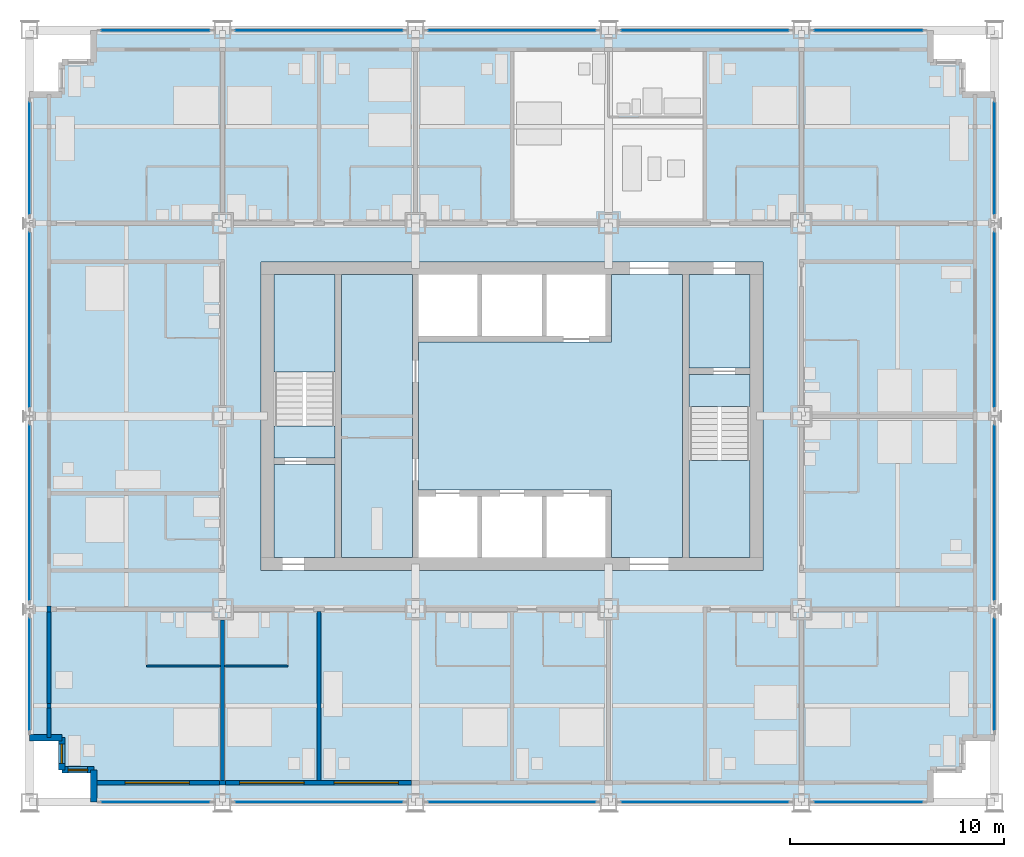
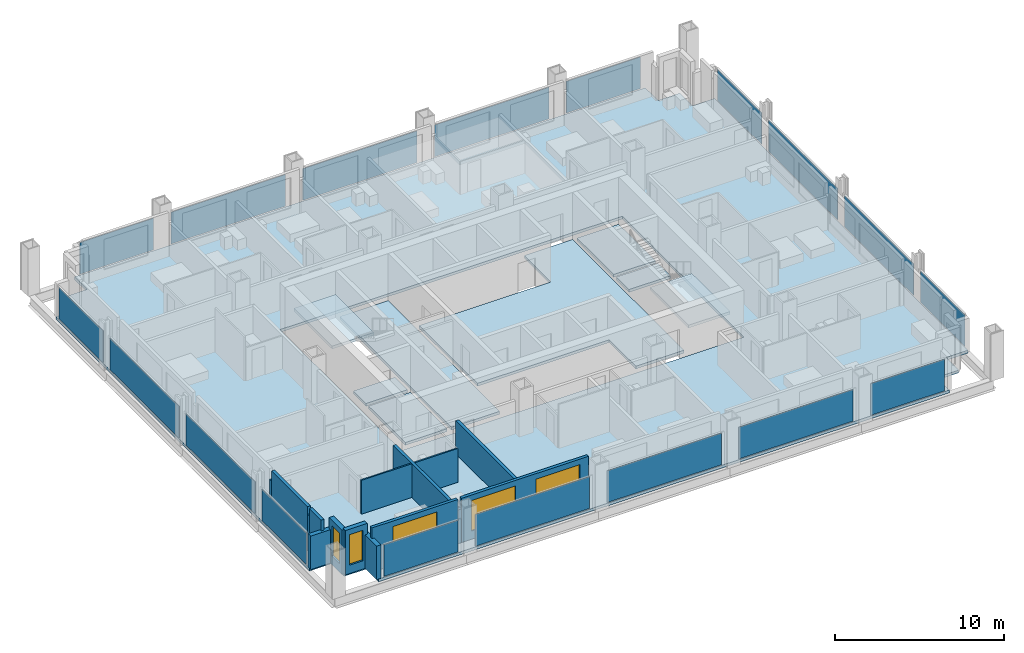
# One storey, part 8 of 16: 18 plates, 15 walls, 9 slabs, 5 windows, 5 openings, 20 elements without a shape of their own.
"""IFC4 building model written with IfcOpenShell, lengths in metres."""

from ifc_helpers import new_model, si_unit, direction, frame, frame_2d, origin, origin_2d, place, context, subcontext, project, spatial, polyline, rectangle, outline, extrude, material, layer, layer_set, type_object, element, fill, aggregate, save


model = new_model("IFC4")

# Units and contexts
model_context = context("Model", 3, precision=1e-05, world=origin(), true_north=direction((0.0, 1.0)))
body_context = subcontext(model_context, "Body", "Model", "MODEL_VIEW")
ifc_project = project(units=[si_unit("LENGTHUNIT", "METRE"), si_unit("AREAUNIT", "SQUARE_METRE"), si_unit("VOLUMEUNIT", "CUBIC_METRE"), si_unit("PLANEANGLEUNIT", "RADIAN"), si_unit("MASSUNIT", "GRAM", prefix="KILO")], contexts=[model_context])

# Site, building, storey
site_placement = place(None, origin())
site = spatial("IfcSite", under=ifc_project, at=site_placement, CompositionType="ELEMENT")
building_placement = place(site_placement, origin())
building = spatial("IfcBuilding", under=site, at=building_placement, Name="Loomwork Tower", CompositionType="ELEMENT")
storey_placement = place(building_placement, frame((0.0, 0.0, 97.60009765625)))
storey = spatial("IfcBuildingStorey", under=building, at=storey_placement, Name="L25", CompositionType="ELEMENT", Elevation=97.60009765625)

# Slabs
ifc_material_1 = material(Name="Concrete 5000 psi (34 MPa) on composite metal deck", Category="concrete")
ifc_layer_1 = layer(ifc_material_1, 0.199951171875)
ifc_layer_set_1 = layer_set([ifc_layer_1], Name="Floor slab 200")
slab_type_1 = type_object("IfcSlabType", Name="Floor slab 200", PredefinedType="FLOOR", material=ifc_layer_set_1)
slab_1_placement = place(storey_placement, frame((0.0, 0.0, -0.2001953125)))
element("IfcSlab", 1, at=slab_1_placement, inside=storey, type_object=slab_type_1, Name="Floor slab L25", PredefinedType="FLOOR", context=body_context, shape_type="SweptSolid", body=[
    extrude(outline(polyline([(3.0, 1.5), (1.5, 1.5), (1.5, 3.0), (0.0, 3.0), (0.0, 33.0), (1.5, 33.0), (1.5, 34.5), (3.0, 34.5), (3.0, 36.0), (42.0, 36.0), (42.0, 34.5), (43.5, 34.5), (43.5, 33.0), (45.0, 33.0), (45.0, 3.0), (43.5, 3.0), (43.5, 1.5), (42.0, 1.5), (42.0, 0.0), (3.0, 0.0), (3.0, 1.5)]), holes=[polyline([(10.800048828125, 11.39990234375), (10.800048828125, 11.39990234375), (10.800048828125, 10.800048828125), (34.199951171875, 10.800048828125), (34.199951171875, 11.39990234375), (34.199951171875, 11.39990234375), (34.199951171875, 24.60009765625), (34.199951171875, 25.199951171875), (10.800048828125, 25.199951171875), (10.800048828125, 24.60009765625), (10.800048828125, 11.39990234375)])]), origin(), (0.0, 0.0, 1.0), 0.2001953125),
])
slab_2_placement = place(storey_placement, frame((0.0, 0.0, -0.2001953125)))
element("IfcSlab", 2, at=slab_2_placement, inside=storey, type_object=slab_type_1, Name="Floor slab L25", PredefinedType="FLOOR", context=body_context, shape_type="SweptSolid", body=[
    extrude(outline(polyline([(30.449951171875, 24.60009765625), (30.449951171875, 11.39990234375), (27.14990234375, 11.39990234375), (27.14990234375, 14.25), (27.14990234375, 14.550048828125), (18.14990234375, 14.550048828125), (18.14990234375, 21.449951171875), (27.14990234375, 21.449951171875), (27.14990234375, 21.75), (27.14990234375, 24.60009765625), (30.449951171875, 24.60009765625)])), origin(), (0.0, 0.0, 1.0), 0.2001953125),
])
slab_3_placement = place(storey_placement, frame((0.0, 0.0, -0.2001953125)))
element("IfcSlab", 3, at=slab_3_placement, inside=storey, type_object=slab_type_1, Name="Floor slab L25", PredefinedType="FLOOR", context=body_context, shape_type="SweptSolid", body=[
    extrude(outline(polyline([(14.550048828125, 11.39990234375), (14.550048828125, 24.60009765625), (17.85009765625, 24.60009765625), (17.85009765625, 11.39990234375), (14.550048828125, 11.39990234375)])), origin(), (0.0, 0.0, 1.0), 0.2001953125),
])
slab_4_placement = place(storey_placement, frame((0.0, 0.0, -0.2001953125)))
element("IfcSlab", 4, at=slab_4_placement, inside=storey, type_object=slab_type_1, Name="Floor slab L25", PredefinedType="FLOOR", context=body_context, shape_type="SweptSolid", body=[
    extrude(outline(polyline([(33.60009765625, 20.25), (30.75, 20.25), (30.75, 24.60009765625), (33.60009765625, 24.60009765625), (33.60009765625, 20.25)])), origin(), (0.0, 0.0, 1.0), 0.2001953125),
])
slab_5_placement = place(storey_placement, frame((0.0, 0.0, -0.2001953125)))
element("IfcSlab", 5, at=slab_5_placement, inside=storey, type_object=slab_type_1, Name="Floor slab L25", PredefinedType="FLOOR", context=body_context, shape_type="SweptSolid", body=[
    extrude(outline(polyline([(14.25, 15.75), (14.25, 11.39990234375), (11.39990234375, 11.39990234375), (11.39990234375, 15.75), (14.25, 15.75)])), origin(), (0.0, 0.0, 1.0), 0.2001953125),
])

# Curtain wall, plate
ifc_material_2 = material(Name="Aluminium curtain wall frame", Category="aluminium")
curtain_wall_type = type_object("IfcCurtainWallType", Name="Outer skin glazing hotel", PredefinedType="NOTDEFINED", material=ifc_material_2)
curtain_wall_1_placement = place(storey_placement, origin())
curtain_wall_1 = element("IfcCurtainWall", 6, at=curtain_wall_1_placement, inside=storey, type_object=curtain_wall_type, Name="Outer skin glazing hotel cw/S-0", PredefinedType="NOTDEFINED")
ifc_material_3 = material(Name="Clear laminated glass", Category="glass")
ifc_layer_2 = layer(ifc_material_3, 0.02392578125)
ifc_layer_set_2 = layer_set([ifc_layer_2], Name="Outer skin glazing hotel panel")
plate_type = type_object("IfcPlateType", Name="Outer skin glazing hotel panel", PredefinedType="CURTAIN_PANEL", material=ifc_layer_set_2)
plate_1_placement = place(storey_placement, frame((5.875, 0.0, 0.06494140625), z_axis=(0.0, 0.0, 1.0), x_axis=(1.0, 0.0, 0.0)))
plate_1 = element("IfcPlate", 7, at=plate_1_placement, type_object=plate_type, Name="CW1 panel 1.1", PredefinedType="CURTAIN_PANEL", context=body_context, shape_type="SweptSolid", body=[
    extrude(rectangle(XDim=5.050048828125, YDim=0.02392578125, at=origin_2d()), origin(), (0.0, 0.0, 1.0), 2.290283203125),
])
aggregate(curtain_wall_1, [plate_1])

curtain_wall_2_placement = place(storey_placement, origin())
curtain_wall_2 = element("IfcCurtainWall", 8, at=curtain_wall_2_placement, inside=storey, type_object=curtain_wall_type, Name="Outer skin glazing hotel cw/S-9", PredefinedType="NOTDEFINED")
plate_2_placement = place(storey_placement, frame((13.5, 0.0, 0.06494140625), z_axis=(0.0, 0.0, 1.0), x_axis=(1.0, 0.0, 0.0)))
plate_2 = element("IfcPlate", 9, at=plate_2_placement, type_object=plate_type, Name="CW1 panel 1.1", PredefinedType="CURTAIN_PANEL", context=body_context, shape_type="SweptSolid", body=[
    extrude(rectangle(XDim=7.800048828125, YDim=0.02392578125, at=origin_2d()), origin(), (0.0, 0.0, 1.0), 2.290283203125),
])
aggregate(curtain_wall_2, [plate_2])

curtain_wall_3_placement = place(storey_placement, origin())
curtain_wall_3 = element("IfcCurtainWall", 10, at=curtain_wall_3_placement, inside=storey, type_object=curtain_wall_type, Name="Outer skin glazing hotel cw/S-18", PredefinedType="NOTDEFINED")
plate_3_placement = place(storey_placement, frame((22.5, 0.0, 0.06494140625), z_axis=(0.0, 0.0, 1.0), x_axis=(1.0, 0.0, 0.0)))
plate_3 = element("IfcPlate", 11, at=plate_3_placement, type_object=plate_type, Name="CW1 panel 1.1", PredefinedType="CURTAIN_PANEL", context=body_context, shape_type="SweptSolid", body=[
    extrude(rectangle(XDim=7.800048828125, YDim=0.02392578125, at=origin_2d()), origin(), (0.0, 0.0, 1.0), 2.290283203125),
])
aggregate(curtain_wall_3, [plate_3])

curtain_wall_4_placement = place(storey_placement, origin())
curtain_wall_4 = element("IfcCurtainWall", 12, at=curtain_wall_4_placement, inside=storey, type_object=curtain_wall_type, Name="Outer skin glazing hotel cw/S-27", PredefinedType="NOTDEFINED")
plate_4_placement = place(storey_placement, frame((31.5, 0.0, 0.06494140625), z_axis=(0.0, 0.0, 1.0), x_axis=(1.0, 0.0, 0.0)))
plate_4 = element("IfcPlate", 13, at=plate_4_placement, type_object=plate_type, Name="CW1 panel 1.1", PredefinedType="CURTAIN_PANEL", context=body_context, shape_type="SweptSolid", body=[
    extrude(rectangle(XDim=7.800048828125, YDim=0.02392578125, at=origin_2d()), origin(), (0.0, 0.0, 1.0), 2.290283203125),
])
aggregate(curtain_wall_4, [plate_4])

curtain_wall_5_placement = place(storey_placement, origin())
curtain_wall_5 = element("IfcCurtainWall", 14, at=curtain_wall_5_placement, inside=storey, type_object=curtain_wall_type, Name="Outer skin glazing hotel cw/S-36", PredefinedType="NOTDEFINED")
plate_5_placement = place(storey_placement, frame((39.125, 0.0, 0.06494140625), z_axis=(0.0, 0.0, 1.0), x_axis=(1.0, 0.0, 0.0)))
plate_5 = element("IfcPlate", 15, at=plate_5_placement, type_object=plate_type, Name="CW1 panel 1.1", PredefinedType="CURTAIN_PANEL", context=body_context, shape_type="SweptSolid", body=[
    extrude(rectangle(XDim=5.050048828125, YDim=0.02392578125, at=origin_2d()), origin(), (0.0, 0.0, 1.0), 2.290283203125),
])
aggregate(curtain_wall_5, [plate_5])

curtain_wall_6_placement = place(storey_placement, origin())
curtain_wall_6 = element("IfcCurtainWall", 16, at=curtain_wall_6_placement, inside=storey, type_object=curtain_wall_type, Name="Outer skin glazing hotel cw/N-0", PredefinedType="NOTDEFINED")
plate_6_placement = place(storey_placement, frame((5.875, 36.0, 0.06494140625), z_axis=(0.0, 0.0, 1.0), x_axis=(-1.0, 0.0, 0.0)))
plate_6 = element("IfcPlate", 17, at=plate_6_placement, type_object=plate_type, Name="CW1 panel 1.1", PredefinedType="CURTAIN_PANEL", context=body_context, shape_type="SweptSolid", body=[
    extrude(rectangle(XDim=5.050048828125, YDim=0.02392578125, at=origin_2d()), origin(), (0.0, 0.0, 1.0), 2.290283203125),
])
aggregate(curtain_wall_6, [plate_6])

curtain_wall_7_placement = place(storey_placement, origin())
curtain_wall_7 = element("IfcCurtainWall", 18, at=curtain_wall_7_placement, inside=storey, type_object=curtain_wall_type, Name="Outer skin glazing hotel cw/N-9", PredefinedType="NOTDEFINED")
plate_7_placement = place(storey_placement, frame((13.5, 36.0, 0.06494140625), z_axis=(0.0, 0.0, 1.0), x_axis=(-1.0, 0.0, 0.0)))
plate_7 = element("IfcPlate", 19, at=plate_7_placement, type_object=plate_type, Name="CW1 panel 1.1", PredefinedType="CURTAIN_PANEL", context=body_context, shape_type="SweptSolid", body=[
    extrude(rectangle(XDim=7.800048828125, YDim=0.02392578125, at=origin_2d()), origin(), (0.0, 0.0, 1.0), 2.290283203125),
])
aggregate(curtain_wall_7, [plate_7])

curtain_wall_8_placement = place(storey_placement, origin())
curtain_wall_8 = element("IfcCurtainWall", 20, at=curtain_wall_8_placement, inside=storey, type_object=curtain_wall_type, Name="Outer skin glazing hotel cw/N-18", PredefinedType="NOTDEFINED")
plate_8_placement = place(storey_placement, frame((22.5, 36.0, 0.06494140625), z_axis=(0.0, 0.0, 1.0), x_axis=(-1.0, 0.0, 0.0)))
plate_8 = element("IfcPlate", 21, at=plate_8_placement, type_object=plate_type, Name="CW1 panel 1.1", PredefinedType="CURTAIN_PANEL", context=body_context, shape_type="SweptSolid", body=[
    extrude(rectangle(XDim=7.800048828125, YDim=0.02392578125, at=origin_2d()), origin(), (0.0, 0.0, 1.0), 2.290283203125),
])
aggregate(curtain_wall_8, [plate_8])

curtain_wall_9_placement = place(storey_placement, origin())
curtain_wall_9 = element("IfcCurtainWall", 22, at=curtain_wall_9_placement, inside=storey, type_object=curtain_wall_type, Name="Outer skin glazing hotel cw/N-27", PredefinedType="NOTDEFINED")
plate_9_placement = place(storey_placement, frame((31.5, 36.0, 0.06494140625), z_axis=(0.0, 0.0, 1.0), x_axis=(-1.0, 0.0, 0.0)))
plate_9 = element("IfcPlate", 23, at=plate_9_placement, type_object=plate_type, Name="CW1 panel 1.1", PredefinedType="CURTAIN_PANEL", context=body_context, shape_type="SweptSolid", body=[
    extrude(rectangle(XDim=7.800048828125, YDim=0.02392578125, at=origin_2d()), origin(), (0.0, 0.0, 1.0), 2.290283203125),
])
aggregate(curtain_wall_9, [plate_9])

curtain_wall_10_placement = place(storey_placement, origin())
curtain_wall_10 = element("IfcCurtainWall", 24, at=curtain_wall_10_placement, inside=storey, type_object=curtain_wall_type, Name="Outer skin glazing hotel cw/N-36", PredefinedType="NOTDEFINED")
plate_10_placement = place(storey_placement, frame((39.125, 36.0, 0.06494140625), z_axis=(0.0, 0.0, 1.0), x_axis=(-1.0, 0.0, 0.0)))
plate_10 = element("IfcPlate", 25, at=plate_10_placement, type_object=plate_type, Name="CW1 panel 1.1", PredefinedType="CURTAIN_PANEL", context=body_context, shape_type="SweptSolid", body=[
    extrude(rectangle(XDim=5.050048828125, YDim=0.02392578125, at=origin_2d()), origin(), (0.0, 0.0, 1.0), 2.290283203125),
])
aggregate(curtain_wall_10, [plate_10])

curtain_wall_11_placement = place(storey_placement, origin())
curtain_wall_11 = element("IfcCurtainWall", 26, at=curtain_wall_11_placement, inside=storey, type_object=curtain_wall_type, Name="Outer skin glazing hotel cw/W-0", PredefinedType="NOTDEFINED")
plate_11_placement = place(storey_placement, frame((0.0, 5.962646484375, 0.06494140625), z_axis=(0.0, 0.0, 1.0), x_axis=(0.0, -1.0, 0.0)))
plate_11 = element("IfcPlate", 27, at=plate_11_placement, type_object=plate_type, Name="CW1 panel 1.1", PredefinedType="CURTAIN_PANEL", context=body_context, shape_type="SweptSolid", body=[
    extrude(rectangle(XDim=5.22509765625, YDim=0.02392578125, at=origin_2d()), origin(), (0.0, 0.0, 1.0), 2.290283203125),
])
aggregate(curtain_wall_11, [plate_11])

curtain_wall_12_placement = place(storey_placement, origin())
curtain_wall_12 = element("IfcCurtainWall", 28, at=curtain_wall_12_placement, inside=storey, type_object=curtain_wall_type, Name="Outer skin glazing hotel cw/W-9", PredefinedType="NOTDEFINED")
plate_12_placement = place(storey_placement, frame((0.0, 13.5, 0.06494140625), z_axis=(0.0, 0.0, 1.0), x_axis=(0.0, -1.0, 0.0)))
plate_12 = element("IfcPlate", 29, at=plate_12_placement, type_object=plate_type, Name="CW1 panel 1.1", PredefinedType="CURTAIN_PANEL", context=body_context, shape_type="SweptSolid", body=[
    extrude(rectangle(XDim=8.150390625, YDim=0.02392578125, at=origin_2d()), origin(), (0.0, 0.0, 1.0), 2.290283203125),
])
aggregate(curtain_wall_12, [plate_12])

curtain_wall_13_placement = place(storey_placement, origin())
curtain_wall_13 = element("IfcCurtainWall", 30, at=curtain_wall_13_placement, inside=storey, type_object=curtain_wall_type, Name="Outer skin glazing hotel cw/W-18", PredefinedType="NOTDEFINED")
plate_13_placement = place(storey_placement, frame((0.0, 22.5, 0.06494140625), z_axis=(0.0, 0.0, 1.0), x_axis=(0.0, -1.0, 0.0)))
plate_13 = element("IfcPlate", 31, at=plate_13_placement, type_object=plate_type, Name="CW1 panel 1.1", PredefinedType="CURTAIN_PANEL", context=body_context, shape_type="SweptSolid", body=[
    extrude(rectangle(XDim=8.150390625, YDim=0.02392578125, at=origin_2d()), origin(), (0.0, 0.0, 1.0), 2.290283203125),
])
aggregate(curtain_wall_13, [plate_13])

curtain_wall_14_placement = place(storey_placement, origin())
curtain_wall_14 = element("IfcCurtainWall", 32, at=curtain_wall_14_placement, inside=storey, type_object=curtain_wall_type, Name="Outer skin glazing hotel cw/W-27", PredefinedType="NOTDEFINED")
plate_14_placement = place(storey_placement, frame((0.0, 30.037353515625, 0.06494140625), z_axis=(0.0, 0.0, 1.0), x_axis=(0.0, -1.0, 0.0)))
plate_14 = element("IfcPlate", 33, at=plate_14_placement, type_object=plate_type, Name="CW1 panel 1.1", PredefinedType="CURTAIN_PANEL", context=body_context, shape_type="SweptSolid", body=[
    extrude(rectangle(XDim=5.22509765625, YDim=0.02392578125, at=origin_2d()), origin(), (0.0, 0.0, 1.0), 2.290283203125),
])
aggregate(curtain_wall_14, [plate_14])

curtain_wall_15_placement = place(storey_placement, origin())
curtain_wall_15 = element("IfcCurtainWall", 34, at=curtain_wall_15_placement, inside=storey, type_object=curtain_wall_type, Name="Outer skin glazing hotel cw/E-0", PredefinedType="NOTDEFINED")
plate_15_placement = place(storey_placement, frame((45.0, 5.962646484375, 0.06494140625), z_axis=(0.0, 0.0, 1.0), x_axis=(0.0, 1.0, 0.0)))
plate_15 = element("IfcPlate", 35, at=plate_15_placement, type_object=plate_type, Name="CW1 panel 1.1", PredefinedType="CURTAIN_PANEL", context=body_context, shape_type="SweptSolid", body=[
    extrude(rectangle(XDim=5.22509765625, YDim=0.02392578125, at=origin_2d()), origin(), (0.0, 0.0, 1.0), 2.290283203125),
])
aggregate(curtain_wall_15, [plate_15])

curtain_wall_16_placement = place(storey_placement, origin())
curtain_wall_16 = element("IfcCurtainWall", 36, at=curtain_wall_16_placement, inside=storey, type_object=curtain_wall_type, Name="Outer skin glazing hotel cw/E-9", PredefinedType="NOTDEFINED")
plate_16_placement = place(storey_placement, frame((45.0, 13.5, 0.06494140625), z_axis=(0.0, 0.0, 1.0), x_axis=(0.0, 1.0, 0.0)))
plate_16 = element("IfcPlate", 37, at=plate_16_placement, type_object=plate_type, Name="CW1 panel 1.1", PredefinedType="CURTAIN_PANEL", context=body_context, shape_type="SweptSolid", body=[
    extrude(rectangle(XDim=8.150390625, YDim=0.02392578125, at=origin_2d()), origin(), (0.0, 0.0, 1.0), 2.290283203125),
])
aggregate(curtain_wall_16, [plate_16])

curtain_wall_17_placement = place(storey_placement, origin())
curtain_wall_17 = element("IfcCurtainWall", 38, at=curtain_wall_17_placement, inside=storey, type_object=curtain_wall_type, Name="Outer skin glazing hotel cw/E-18", PredefinedType="NOTDEFINED")
plate_17_placement = place(storey_placement, frame((45.0, 22.5, 0.06494140625), z_axis=(0.0, 0.0, 1.0), x_axis=(0.0, 1.0, 0.0)))
plate_17 = element("IfcPlate", 39, at=plate_17_placement, type_object=plate_type, Name="CW1 panel 1.1", PredefinedType="CURTAIN_PANEL", context=body_context, shape_type="SweptSolid", body=[
    extrude(rectangle(XDim=8.150390625, YDim=0.02392578125, at=origin_2d()), origin(), (0.0, 0.0, 1.0), 2.290283203125),
])
aggregate(curtain_wall_17, [plate_17])

curtain_wall_18_placement = place(storey_placement, origin())
curtain_wall_18 = element("IfcCurtainWall", 40, at=curtain_wall_18_placement, inside=storey, type_object=curtain_wall_type, Name="Outer skin glazing hotel cw/E-27", PredefinedType="NOTDEFINED")
plate_18_placement = place(storey_placement, frame((45.0, 30.037353515625, 0.06494140625), z_axis=(0.0, 0.0, 1.0), x_axis=(0.0, 1.0, 0.0)))
plate_18 = element("IfcPlate", 41, at=plate_18_placement, type_object=plate_type, Name="CW1 panel 1.1", PredefinedType="CURTAIN_PANEL", context=body_context, shape_type="SweptSolid", body=[
    extrude(rectangle(XDim=5.22509765625, YDim=0.02392578125, at=origin_2d()), origin(), (0.0, 0.0, 1.0), 2.290283203125),
])
aggregate(curtain_wall_18, [plate_18])

# Stair, slabs
ifc_material_4 = material(Name="Concrete 5000 psi (34 MPa) precast stair", Category="concrete")
stair_type_1 = type_object("IfcStairType", Name="Stair ST-A 20 risers 2850 wide", PredefinedType="HALF_TURN_STAIR", material=ifc_material_4)
stair_1_placement = place(storey_placement, origin())
stair_1 = element("IfcStair", 42, at=stair_1_placement, inside=storey, type_object=stair_type_1, Name="Stair A L25", PredefinedType="HALF_TURN_STAIR")
ifc_material_5 = material(Name="Concrete 5000 psi (34 MPa)", Category="concrete")
ifc_layer_3 = layer(ifc_material_5, 0.199951171875)
ifc_layer_set_3 = layer_set([ifc_layer_3], Name="Stair landing 200")
slab_type_2 = type_object("IfcSlabType", Name="Stair landing 200", PredefinedType="LANDING", material=ifc_layer_set_3)
slab_6_placement = place(storey_placement, frame((0.0, 0.0, -0.2001953125)))
slab_6 = element("IfcSlab", 43, at=slab_6_placement, type_object=slab_type_2, Name="ST-A landing 1", PredefinedType="LANDING", context=body_context, shape_type="SweptSolid", body=[
    extrude(outline(polyline([(11.39990234375, 16.050048828125), (14.25, 16.050048828125), (14.25, 17.550048828125), (11.39990234375, 17.550048828125), (11.39990234375, 16.050048828125)])), origin(), (0.0, 0.0, 1.0), 0.2001953125),
])
slab_7_placement = place(storey_placement, frame((0.0, 0.0, 1.5)))
slab_7 = element("IfcSlab", 44, at=slab_7_placement, type_object=slab_type_2, Name="ST-A landing 2", PredefinedType="LANDING", context=body_context, shape_type="SweptSolid", body=[
    extrude(outline(polyline([(11.39990234375, 20.070068359375), (14.25, 20.070068359375), (14.25, 24.60009765625), (11.39990234375, 24.60009765625), (11.39990234375, 20.070068359375)])), origin(), (0.0, 0.0, 1.0), 0.199951171875),
])
aggregate(stair_1, [slab_6, slab_7])

ifc_material_6 = material(Name="Concrete 5000 psi (34 MPa) precast stair", Category="concrete")
stair_type_2 = type_object("IfcStairType", Name="Stair ST-B 20 risers 2850 wide", PredefinedType="HALF_TURN_STAIR", material=ifc_material_6)
stair_2_placement = place(storey_placement, origin())
stair_2 = element("IfcStair", 45, at=stair_2_placement, inside=storey, type_object=stair_type_2, Name="Stair B L25", PredefinedType="HALF_TURN_STAIR")
slab_8_placement = place(storey_placement, frame((0.0, 0.0, -0.2001953125)))
slab_8 = element("IfcSlab", 46, at=slab_8_placement, type_object=slab_type_2, Name="ST-B landing 1", PredefinedType="LANDING", context=body_context, shape_type="SweptSolid", body=[
    extrude(outline(polyline([(30.75, 18.449951171875), (33.60009765625, 18.449951171875), (33.60009765625, 19.949951171875), (30.75, 19.949951171875), (30.75, 18.449951171875)])), origin(), (0.0, 0.0, 1.0), 0.2001953125),
])
slab_9_placement = place(storey_placement, frame((0.0, 0.0, 1.5)))
slab_9 = element("IfcSlab", 47, at=slab_9_placement, type_object=slab_type_2, Name="ST-B landing 2", PredefinedType="LANDING", context=body_context, shape_type="SweptSolid", body=[
    extrude(outline(polyline([(30.75, 11.39990234375), (33.60009765625, 11.39990234375), (33.60009765625, 15.929931640625), (30.75, 15.929931640625), (30.75, 11.39990234375)])), origin(), (0.0, 0.0, 1.0), 0.199951171875),
])
aggregate(stair_2, [slab_8, slab_9])

# Walls
ifc_material_7 = material(Name="Cement board on steel studs", Category="steel")
ifc_layer_4 = layer(ifc_material_7, 0.10009765625)
ifc_layer_set_4 = layer_set([ifc_layer_4], Name="En-suite partition 100")
wall_type_1 = type_object("IfcWallType", Name="En-suite partition 100", PredefinedType="PARTITIONING", material=ifc_layer_set_4)
wall_1_placement = place(storey_placement, frame((5.449951171875, 6.35009765625, 0.0), z_axis=(0.0, 0.0, 1.0), x_axis=(1.0, 0.0, 0.0)))
element("IfcWall", 48, at=wall_1_placement, inside=storey, type_object=wall_type_1, Name="En-suite wall L25 room 1", PredefinedType="PARTITIONING", context=body_context, shape_type="SweptSolid", body=[
    extrude(rectangle(XDim=3.449951171875, YDim=0.10009765625, at=frame_2d((1.72509765625, 0.0))), origin(), (0.0, 0.0, 1.0), 2.43798828125),
])
wall_2_placement = place(storey_placement, frame((9.10009765625, 6.35009765625, 0.0), z_axis=(0.0, 0.0, 1.0), x_axis=(1.0, 0.0, 0.0)))
element("IfcWall", 49, at=wall_2_placement, inside=storey, type_object=wall_type_1, Name="En-suite wall L25 room 2", PredefinedType="PARTITIONING", context=body_context, shape_type="SweptSolid", body=[
    extrude(rectangle(XDim=2.949951171875, YDim=0.10009765625, at=frame_2d((1.47509765625, 0.0))), origin(), (0.0, 0.0, 1.0), 2.43798828125),
])
ifc_material_8 = material(Name="Gypsum board on steel studs, acoustic", Category="steel")
ifc_layer_5 = layer(ifc_material_8, 0.199951171875)
ifc_layer_set_5 = layer_set([ifc_layer_5], Name="Guest room party wall 200")
wall_type_2 = type_object("IfcWallType", Name="Guest room party wall 200", PredefinedType="PARTITIONING", material=ifc_layer_set_5)
wall_3_placement = place(storey_placement, frame((9.0, 8.5, 0.0), z_axis=(0.0, 0.0, 1.0), x_axis=(0.0, -1.0, 0.0)))
element("IfcWall", 50, at=wall_3_placement, inside=storey, type_object=wall_type_2, Name="Guest room party wall S 9", PredefinedType="PARTITIONING", context=body_context, shape_type="SweptSolid", body=[
    extrude(rectangle(XDim=7.5, YDim=0.199951171875, at=frame_2d((3.75, 0.0))), origin(), (0.0, 0.0, 1.0), 2.43798828125),
])
wall_4_placement = place(storey_placement, frame((13.5, 8.89990234375, 0.0), z_axis=(0.0, 0.0, 1.0), x_axis=(0.0, -1.0, 0.0)))
element("IfcWall", 51, at=wall_4_placement, inside=storey, type_object=wall_type_2, Name="Guest room party wall S 13.5", PredefinedType="PARTITIONING", context=body_context, shape_type="SweptSolid", body=[
    extrude(rectangle(XDim=7.89990234375, YDim=0.199951171875, at=frame_2d((3.949951171875, 0.0))), origin(), (0.0, 0.0, 1.0), 2.40380859375),
])

# Wall, opening, window
ifc_material_9 = material(Name="Insulated steel stud wall with gypsum lining", Category="steel")
ifc_layer_6 = layer(ifc_material_9, 0.199951171875)
ifc_layer_set_6 = layer_set([ifc_layer_6], Name="Inner skin wall 200")
wall_type_3 = type_object("IfcWallType", Name="Inner skin wall 200", PredefinedType="SOLIDWALL", material=ifc_layer_set_6)
wall_5_placement = place(storey_placement, frame((3.0, 0.89990234375, 0.0), z_axis=(0.0, 0.0, 1.0), x_axis=(1.0, 0.0, 0.0)))
wall_5 = element("IfcWall", 52, at=wall_5_placement, inside=storey, type_object=wall_type_3, Name="Inner skin wall S", PredefinedType="SOLIDWALL", context=body_context, shape_type="SweptSolid", body=[
    extrude(rectangle(XDim=5.86474609375, YDim=0.199951171875, at=frame_2d((2.932373046875, 0.0))), origin(), (0.0, 0.0, 1.0), 3.199951171875),
])
opening_1_placement = place(wall_5_placement, frame((1.449951171875, 0.0, 0.60009765625)))
opening_1 = element("IfcOpeningElement", 53, at=opening_1_placement, cuts=wall_5, Name="Opening CH1", PredefinedType="OPENING", context=body_context, shape_type="SweptSolid", body=[
    extrude(rectangle(XDim=3.0, YDim=2.199951171875, at=frame_2d((1.5, 1.10009765625))), frame((0.0, 0.10986328125, 0.0), z_axis=(0.0, -1.0, 0.0), x_axis=(1.0, 0.0, 0.0)), (0.0, 0.0, 1.0), 0.219970703125),
])
ifc_material_10 = material(Name="Aluminium frame with clear insulated glass", Category="aluminium")
window_type_1 = type_object("IfcWindowType", Name="Chicago window 3000", PartitioningType="TRIPLE_PANEL_VERTICAL", PredefinedType="WINDOW", material=ifc_material_10)
window_1_placement = place(opening_1_placement, origin())
window_1 = element("IfcWindow", 54, at=window_1_placement, inside=storey, type_object=window_type_1, Name="Chicago window L25 bay 1", OverallHeight=2.199951171875, OverallWidth=3.0, PartitioningType="TRIPLE_PANEL_VERTICAL", PredefinedType="WINDOW", context=body_context, shape_type="SweptSolid", body=[
    extrude(rectangle(XDim=3.0, YDim=2.199951171875, at=frame_2d((1.5, 1.10009765625))), frame((0.0, 0.030029296875, 0.0), z_axis=(0.0, -1.0, 0.0), x_axis=(1.0, 0.0, 0.0)), (0.0, 0.0, 1.0), 0.06005859375),
])
fill(opening_1, window_1)

# Walls
wall_6_placement = place(storey_placement, frame((0.89990234375, 3.0, 0.0), z_axis=(0.0, 0.0, 1.0), x_axis=(0.0, 1.0, 0.0)))
element("IfcWall", 55, at=wall_6_placement, inside=storey, type_object=wall_type_3, Name="Inner skin wall W", PredefinedType="SOLIDWALL", context=body_context, shape_type="SweptSolid", body=[
    extrude(rectangle(XDim=1.392578125, YDim=0.199951171875, at=frame_2d((0.6962890625, 0.0))), origin(), (0.0, 0.0, 1.0), 3.199951171875),
])
wall_7_placement = place(storey_placement, frame((8.86474609375, 0.89990234375, 0.0), z_axis=(0.0, 0.0, 1.0), x_axis=(1.0, 0.0, 0.0)))
element("IfcWall", 56, at=wall_7_placement, inside=storey, type_object=wall_type_3, Name="Inner skin wall S bay 2", PredefinedType="SOLIDWALL", context=body_context, shape_type="SweptSolid", body=[
    extrude(rectangle(XDim=0.2705078125, YDim=0.199951171875, at=frame_2d((0.13525390625, 0.0))), origin(), (0.0, 0.0, 1.0), 2.43798828125),
])

# Wall, openings, windows
wall_8_placement = place(storey_placement, frame((9.13525390625, 0.89990234375, 0.0), z_axis=(0.0, 0.0, 1.0), x_axis=(1.0, 0.0, 0.0)))
wall_8 = element("IfcWall", 57, at=wall_8_placement, inside=storey, type_object=wall_type_3, Name="Inner skin wall S bay 3", PredefinedType="SOLIDWALL", context=body_context, shape_type="SweptSolid", body=[
    extrude(rectangle(XDim=8.6708984375, YDim=0.199951171875, at=frame_2d((4.33544921875, 0.0))), origin(), (0.0, 0.0, 1.0), 3.199951171875),
])
opening_2_placement = place(wall_8_placement, frame((0.664794921875, 0.0, 0.60009765625)))
opening_2 = element("IfcOpeningElement", 58, at=opening_2_placement, cuts=wall_8, Name="Opening CH1", PredefinedType="OPENING", context=body_context, shape_type="SweptSolid", body=[
    extrude(rectangle(XDim=3.0, YDim=2.199951171875, at=frame_2d((1.5, 1.10009765625))), frame((0.0, 0.10986328125, 0.0), z_axis=(0.0, -1.0, 0.0), x_axis=(1.0, 0.0, 0.0)), (0.0, 0.0, 1.0), 0.219970703125),
])
opening_3_placement = place(wall_8_placement, frame((5.064697265625, 0.0, 0.60009765625)))
opening_3 = element("IfcOpeningElement", 59, at=opening_3_placement, cuts=wall_8, Name="Opening CH1", PredefinedType="OPENING", context=body_context, shape_type="SweptSolid", body=[
    extrude(rectangle(XDim=3.0, YDim=2.199951171875, at=frame_2d((1.5, 1.10009765625))), frame((0.0, 0.10986328125, 0.0), z_axis=(0.0, -1.0, 0.0), x_axis=(1.0, 0.0, 0.0)), (0.0, 0.0, 1.0), 0.219970703125),
])
window_2_placement = place(opening_2_placement, origin())
window_2 = element("IfcWindow", 60, at=window_2_placement, inside=storey, type_object=window_type_1, Name="Chicago window L25 bay 2", OverallHeight=2.199951171875, OverallWidth=3.0, PartitioningType="TRIPLE_PANEL_VERTICAL", PredefinedType="WINDOW", context=body_context, shape_type="SweptSolid", body=[
    extrude(rectangle(XDim=3.0, YDim=2.199951171875, at=frame_2d((1.5, 1.10009765625))), frame((0.0, 0.030029296875, 0.0), z_axis=(0.0, -1.0, 0.0), x_axis=(1.0, 0.0, 0.0)), (0.0, 0.0, 1.0), 0.06005859375),
])
fill(opening_2, window_2)
window_3_placement = place(opening_3_placement, origin())
window_3 = element("IfcWindow", 61, at=window_3_placement, inside=storey, type_object=window_type_1, Name="Chicago window L25 bay 2", OverallHeight=2.199951171875, OverallWidth=3.0, PartitioningType="TRIPLE_PANEL_VERTICAL", PredefinedType="WINDOW", context=body_context, shape_type="SweptSolid", body=[
    extrude(rectangle(XDim=3.0, YDim=2.199951171875, at=frame_2d((1.5, 1.10009765625))), frame((0.0, 0.030029296875, 0.0), z_axis=(0.0, -1.0, 0.0), x_axis=(1.0, 0.0, 0.0)), (0.0, 0.0, 1.0), 0.06005859375),
])
fill(opening_3, window_3)

# Walls
wall_9_placement = place(storey_placement, frame((0.89990234375, 4.392578125, 0.0), z_axis=(0.0, 0.0, 1.0), x_axis=(0.0, 1.0, 0.0)))
element("IfcWall", 62, at=wall_9_placement, inside=storey, type_object=wall_type_3, Name="Inner skin wall W bay 2", PredefinedType="SOLIDWALL", context=body_context, shape_type="SweptSolid", body=[
    extrude(rectangle(XDim=0.21484375, YDim=0.199951171875, at=frame_2d((0.107421875, 0.0))), origin(), (0.0, 0.0, 1.0), 2.660888671875),
])
wall_10_placement = place(storey_placement, frame((0.89990234375, 4.607421875, 0.0), z_axis=(0.0, 0.0, 1.0), x_axis=(0.0, 1.0, 0.0)))
element("IfcWall", 63, at=wall_10_placement, inside=storey, type_object=wall_type_3, Name="Inner skin wall W bay 3", PredefinedType="SOLIDWALL", context=body_context, shape_type="SweptSolid", body=[
    extrude(rectangle(XDim=4.25732421875, YDim=0.199951171875, at=frame_2d((2.128662109375, 0.0))), origin(), (0.0, 0.0, 1.0), 3.199951171875),
])
wall_11_placement = place(storey_placement, frame((0.89990234375, 8.86474609375, 0.0), z_axis=(0.0, 0.0, 1.0), x_axis=(0.0, 1.0, 0.0)))
element("IfcWall", 64, at=wall_11_placement, inside=storey, type_object=wall_type_3, Name="Inner skin wall W bay 4", PredefinedType="SOLIDWALL", context=body_context, shape_type="SweptSolid", body=[
    extrude(rectangle(XDim=0.2705078125, YDim=0.199951171875, at=frame_2d((0.13525390625, 0.0))), origin(), (0.0, 0.0, 1.0), 2.43798828125),
])
ifc_material_11 = material(Name="Limestone on concrete masonry", Category="masonry")
ifc_layer_7 = layer(ifc_material_11, 0.300048828125)
ifc_layer_set_7 = layer_set([ifc_layer_7], Name="Limestone corner wall 300")
wall_type_4 = type_object("IfcWallType", Name="Limestone corner wall 300", PredefinedType="SOLIDWALL", material=ifc_layer_set_7)
wall_12_placement = place(storey_placement, frame((0.0, 3.0, 0.0), z_axis=(0.0, 0.0, 1.0), x_axis=(1.0, 0.0, 0.0)))
element("IfcWall", 65, at=wall_12_placement, inside=storey, type_object=wall_type_4, Name="Stone corner wall SW 1", PredefinedType="SOLIDWALL", context=body_context, shape_type="SweptSolid", body=[
    extrude(rectangle(XDim=1.5, YDim=0.300048828125, at=frame_2d((0.75, 0.0))), origin(), (0.0, 0.0, 1.0), 2.419921875),
])

# Wall, opening, window
wall_13_placement = place(storey_placement, frame((1.5, 3.0, 0.0), z_axis=(0.0, 0.0, 1.0), x_axis=(0.0, -1.0, 0.0)))
wall_13 = element("IfcWall", 66, at=wall_13_placement, inside=storey, type_object=wall_type_4, Name="Stone corner wall SW 2", PredefinedType="SOLIDWALL", context=body_context, shape_type="SweptSolid", body=[
    extrude(rectangle(XDim=1.5, YDim=0.300048828125, at=frame_2d((0.75, 0.0))), origin(), (0.0, 0.0, 1.0), 3.199951171875),
])
opening_4_placement = place(wall_13_placement, frame((0.300048828125, 0.0, 0.60009765625)))
opening_4 = element("IfcOpeningElement", 67, at=opening_4_placement, cuts=wall_13, Name="Opening CH2", PredefinedType="OPENING", context=body_context, shape_type="SweptSolid", body=[
    extrude(rectangle(XDim=0.89990234375, YDim=2.199951171875, at=frame_2d((0.449951171875, 1.10009765625))), frame((0.0, 0.159912109375, 0.0), z_axis=(0.0, -1.0, 0.0), x_axis=(1.0, 0.0, 0.0)), (0.0, 0.0, 1.0), 0.320068359375),
])
ifc_material_12 = material(Name="Aluminium frame with clear insulated glass", Category="aluminium")
window_type_2 = type_object("IfcWindowType", Name="Corner window 900", PartitioningType="SINGLE_PANEL", PredefinedType="WINDOW", material=ifc_material_12)
window_4_placement = place(opening_4_placement, origin())
window_4 = element("IfcWindow", 68, at=window_4_placement, inside=storey, type_object=window_type_2, Name="Corner window SW", OverallHeight=2.199951171875, OverallWidth=0.89990234375, PartitioningType="SINGLE_PANEL", PredefinedType="WINDOW", context=body_context, shape_type="SweptSolid", body=[
    extrude(rectangle(XDim=0.89990234375, YDim=2.199951171875, at=frame_2d((0.449951171875, 1.10009765625))), frame((0.0, 0.030029296875, 0.0), z_axis=(0.0, -1.0, 0.0), x_axis=(1.0, 0.0, 0.0)), (0.0, 0.0, 1.0), 0.06005859375),
])
fill(opening_4, window_4)

wall_14_placement = place(storey_placement, frame((1.5, 1.5, 0.0), z_axis=(0.0, 0.0, 1.0), x_axis=(1.0, 0.0, 0.0)))
wall_14 = element("IfcWall", 69, at=wall_14_placement, inside=storey, type_object=wall_type_4, Name="Stone corner wall SW 3", PredefinedType="SOLIDWALL", context=body_context, shape_type="SweptSolid", body=[
    extrude(rectangle(XDim=1.5, YDim=0.300048828125, at=frame_2d((0.75, 0.0))), origin(), (0.0, 0.0, 1.0), 3.199951171875),
])
opening_5_placement = place(wall_14_placement, frame((0.300048828125, 0.0, 0.60009765625)))
opening_5 = element("IfcOpeningElement", 70, at=opening_5_placement, cuts=wall_14, Name="Opening CH2", PredefinedType="OPENING", context=body_context, shape_type="SweptSolid", body=[
    extrude(rectangle(XDim=0.89990234375, YDim=2.199951171875, at=frame_2d((0.449951171875, 1.10009765625))), frame((0.0, 0.159912109375, 0.0), z_axis=(0.0, -1.0, 0.0), x_axis=(1.0, 0.0, 0.0)), (0.0, 0.0, 1.0), 0.320068359375),
])
window_5_placement = place(opening_5_placement, origin())
window_5 = element("IfcWindow", 71, at=window_5_placement, inside=storey, type_object=window_type_2, Name="Corner window SW", OverallHeight=2.199951171875, OverallWidth=0.89990234375, PartitioningType="SINGLE_PANEL", PredefinedType="WINDOW", context=body_context, shape_type="SweptSolid", body=[
    extrude(rectangle(XDim=0.89990234375, YDim=2.199951171875, at=frame_2d((0.449951171875, 1.10009765625))), frame((0.0, 0.030029296875, 0.0), z_axis=(0.0, -1.0, 0.0), x_axis=(1.0, 0.0, 0.0)), (0.0, 0.0, 1.0), 0.06005859375),
])
fill(opening_5, window_5)

# Wall
wall_15_placement = place(storey_placement, frame((3.0, 1.5, 0.0), z_axis=(0.0, 0.0, 1.0), x_axis=(0.0, -1.0, 0.0)))
element("IfcWall", 72, at=wall_15_placement, inside=storey, type_object=wall_type_4, Name="Stone corner wall SW 4", PredefinedType="SOLIDWALL", context=body_context, shape_type="SweptSolid", body=[
    extrude(rectangle(XDim=1.5, YDim=0.300048828125, at=frame_2d((0.75, 0.0))), origin(), (0.0, 0.0, 1.0), 2.419921875),
])

save(model, "model.ifc")
